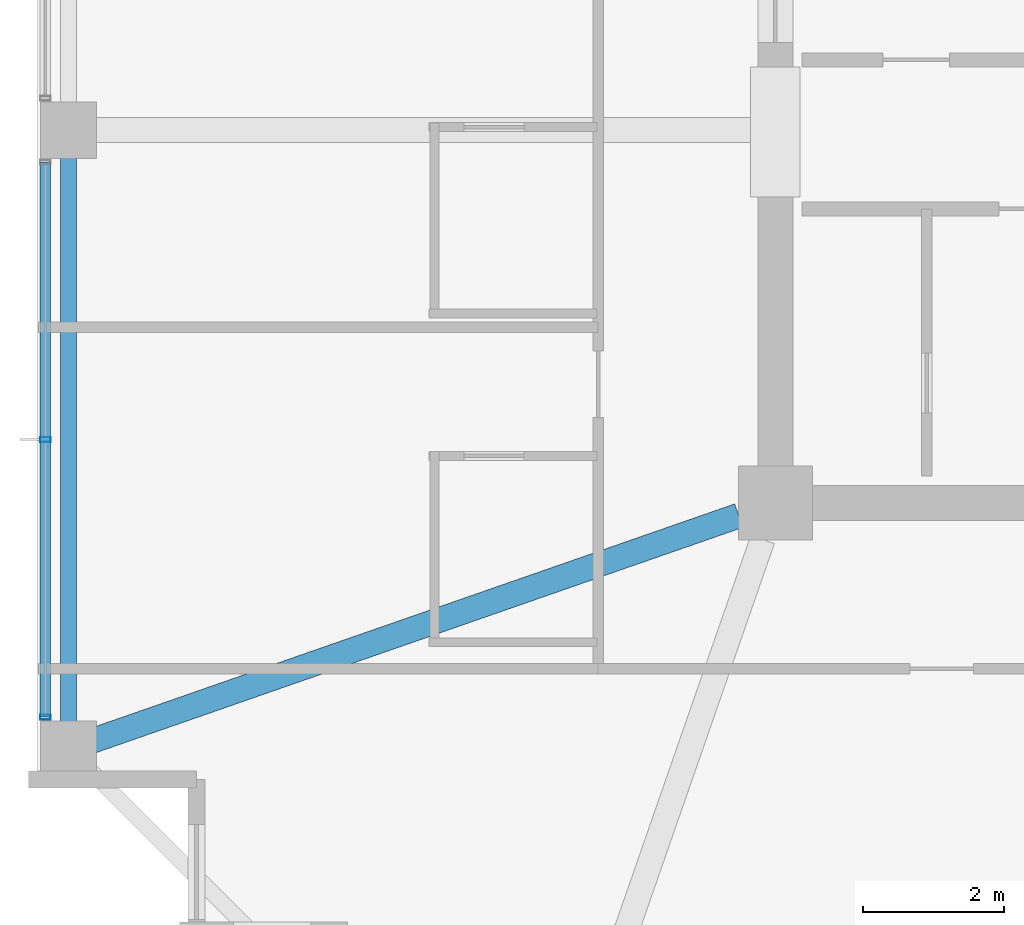
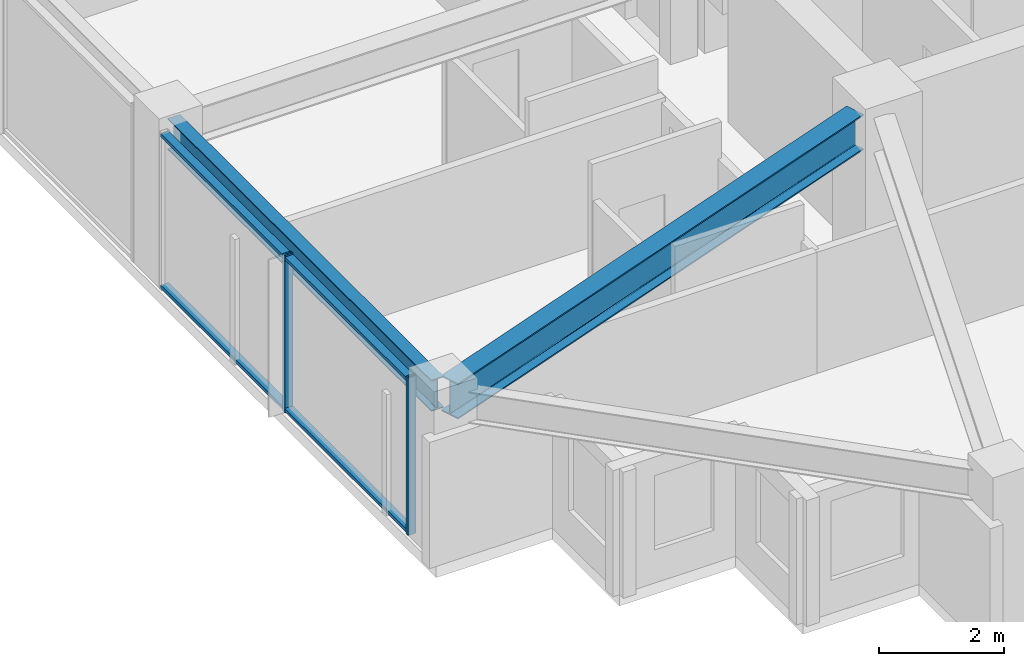
# One storey, part 4 of 36: 4 members, 2 beams, 1 element without a shape of its own.
"""IFC4 building model written with IfcOpenShell, lengths in metres."""

from ifc_helpers import new_model, si_unit, direction, frame, origin, origin_2d, place, context, subcontext, project, spatial, hollow_rectangle, i_section, extrude, material, material_profile, profile_set, type_object, element, aggregate, save


model = new_model("IFC4")

# Units and contexts
model_context = context("Model", 3, precision=1e-05, world=origin(), true_north=direction((0.0, 1.0)))
body_context = subcontext(model_context, "Body", "Model", "MODEL_VIEW")
ifc_project = project(units=[si_unit("LENGTHUNIT", "METRE"), si_unit("AREAUNIT", "SQUARE_METRE"), si_unit("VOLUMEUNIT", "CUBIC_METRE"), si_unit("PLANEANGLEUNIT", "RADIAN"), si_unit("MASSUNIT", "GRAM", prefix="KILO")], contexts=[model_context])

# Site, building, storey
site_placement = place(None, origin())
site = spatial("IfcSite", under=ifc_project, at=site_placement, CompositionType="ELEMENT")
building_placement = place(site_placement, origin())
building = spatial("IfcBuilding", under=site, at=building_placement, Name="Kolvaren Belvedere", CompositionType="ELEMENT")
storey_placement = place(building_placement, frame((0.0, 0.0, 193.199951171875)))
storey = spatial("IfcBuildingStorey", under=building, at=storey_placement, Name="L56", CompositionType="ELEMENT", Elevation=193.199951171875)

# Beams
ifc_material_1 = material(Name="Structural steel ASTM A992 Grade 50", Category="steel")
ifc_material_profile_1 = material_profile(ifc_material_1, i_section(OverallWidth=0.35498046875, OverallDepth=0.696044921875, WebThickness=0.015380859375, FlangeThickness=0.02490234375, FilletRadius=0.02197265625, at=origin_2d()), Name="W27X146")
ifc_profile_set_1 = profile_set([ifc_material_profile_1], Name="Structural steel ASTM A992 Grade 50")
beam_type_1 = type_object("IfcBeamType", Name="BM-GIRD-W27X146", PredefinedType="BEAM", material=ifc_profile_set_1)
beam_1_placement = place(storey_placement, frame((-10.41943359375, -10.080810546875, 2.73193359375), z_axis=(-0.944365399758, -0.328898147971, 0.0), x_axis=(0.328898147971, -0.944365399758, 0.0)))
element("IfcBeam", 1, at=beam_1_placement, inside=storey, type_object=beam_type_1, Name="L56 Corner Core-to-Perimeter Girder CC1-W1", PredefinedType="BEAM", context=body_context, shape_type="SweptSolid", body=[
    extrude(i_section(OverallWidth=0.35498046875, OverallDepth=0.696044921875, WebThickness=0.015380859375, FlangeThickness=0.02490234375, FilletRadius=0.02197265625, at=origin_2d()), origin(), (0.0, 0.0, 1.0), 9.931884765625),
])
ifc_material_2 = material(Name="Structural steel ASTM A992 Grade 50", Category="steel")
ifc_material_profile_2 = material_profile(ifc_material_2, i_section(OverallWidth=0.22900390625, OverallDepth=0.612060546875, WebThickness=0.011962890625, FlangeThickness=0.01953125, FilletRadius=0.01806640625, at=origin_2d()), Name="W24X84")
ifc_profile_set_2 = profile_set([ifc_material_profile_2], Name="Structural steel ASTM A992 Grade 50")
beam_type_2 = type_object("IfcBeamType", Name="BM-SPAN-W24X84", PredefinedType="SPANDREL", material=ifc_profile_set_2)
beam_2_placement = place(storey_placement, frame((-19.949951171875, -4.780029296875, 2.774169921875), z_axis=(0.0, -1.0, 0.0), x_axis=(1.0, 0.0, 0.0)))
element("IfcBeam", 2, at=beam_2_placement, inside=storey, type_object=beam_type_2, Name="L56 Perimeter Spandrel W2-W1", PredefinedType="SPANDREL", context=body_context, shape_type="SweptSolid", body=[
    extrude(i_section(OverallWidth=0.22900390625, OverallDepth=0.612060546875, WebThickness=0.011962890625, FlangeThickness=0.01953125, FilletRadius=0.01806640625, at=origin_2d()), origin(), (0.0, 0.0, 1.0), 8.43994140625),
])

# Curtain wall, members
ifc_material_3 = material(Name="Anodised pale-metal aluminium AA 6063-T6", Category="aluminium")
curtain_wall_type = type_object("IfcCurtainWallType", Name="CW-Z5-HIGH", PredefinedType="NOTDEFINED", material=ifc_material_3)
curtain_wall_placement = place(storey_placement, origin())
curtain_wall = element("IfcCurtainWall", 3, at=curtain_wall_placement, inside=storey, type_object=curtain_wall_type, Name="L56 Unitised Curtain Wall FCW-L56-W-B1", PredefinedType="NOTDEFINED")
ifc_material_4 = material(Name="Anodised pale-metal aluminium AA 6063-T6", Category="aluminium")
ifc_material_profile_3 = material_profile(ifc_material_4, hollow_rectangle(XDim=0.070068359375, YDim=0.14990234375, WallThickness=0.004150390625, at=origin_2d()), Name="ALU-MUL-150X70")
ifc_profile_set_3 = profile_set([ifc_material_profile_3], Name="Anodised pale-metal aluminium AA 6063-T6")
member_type_1 = type_object("IfcMemberType", Name="CW-MUL-150", PredefinedType="MULLION", material=ifc_profile_set_3)
member_1_placement = place(storey_placement, frame((-20.280029296875, -12.945068359375, 0.0), z_axis=(0.0, 0.0, 1.0), x_axis=(0.0, 1.0, 0.0)))
member_1 = element("IfcMember", 4, at=member_1_placement, type_object=member_type_1, Name="FCW-L56-W-B1 Unitised Mullion 1", PredefinedType="MULLION", context=body_context, shape_type="SweptSolid", body=[
    extrude(hollow_rectangle(XDim=0.070068359375, YDim=0.14990234375, WallThickness=0.004150390625, at=origin_2d()), origin(), (0.0, 0.0, 1.0), 3.080078125),
])
member_2_placement = place(storey_placement, frame((-20.280029296875, -9.0, 0.0), z_axis=(0.0, 0.0, 1.0), x_axis=(0.0, 1.0, 0.0)))
member_2 = element("IfcMember", 5, at=member_2_placement, type_object=member_type_1, Name="FCW-L56-W-B1 Unitised Mullion 2", PredefinedType="MULLION", context=body_context, shape_type="SweptSolid", body=[
    extrude(hollow_rectangle(XDim=0.070068359375, YDim=0.14990234375, WallThickness=0.004150390625, at=origin_2d()), origin(), (0.0, 0.0, 1.0), 3.080078125),
])
ifc_material_5 = material(Name="Anodised pale-metal aluminium AA 6063-T6", Category="aluminium")
ifc_material_profile_4 = material_profile(ifc_material_5, hollow_rectangle(XDim=0.06494140625, YDim=0.14990234375, WallThickness=0.00390625, at=origin_2d()), Name="ALU-TRN-150X65")
ifc_profile_set_4 = profile_set([ifc_material_profile_4], Name="Anodised pale-metal aluminium AA 6063-T6")
member_type_2 = type_object("IfcMemberType", Name="CW-TRN-150", PredefinedType="USERDEFINED", material=ifc_profile_set_4)
member_3_placement = place(storey_placement, frame((-20.280029296875, -12.945068359375, 0.06005859375), z_axis=(0.0, 1.0, 0.0), x_axis=(0.0, 0.0, 1.0)))
member_3 = element("IfcMember", 6, at=member_3_placement, type_object=member_type_2, Name="FCW-L56-W-B1 Sill Transom", ObjectType="TRANSOM", PredefinedType="USERDEFINED", context=body_context, shape_type="SweptSolid", body=[
    extrude(hollow_rectangle(XDim=0.06494140625, YDim=0.14990234375, WallThickness=0.00390625, at=origin_2d()), origin(), (0.0, 0.0, 1.0), 7.89013671875),
])
member_4_placement = place(storey_placement, frame((-20.280029296875, -12.945068359375, 3.02001953125), z_axis=(0.0, 1.0, 0.0), x_axis=(0.0, 0.0, 1.0)))
member_4 = element("IfcMember", 7, at=member_4_placement, type_object=member_type_2, Name="FCW-L56-W-B1 Head Transom", ObjectType="TRANSOM", PredefinedType="USERDEFINED", context=body_context, shape_type="SweptSolid", body=[
    extrude(hollow_rectangle(XDim=0.06494140625, YDim=0.14990234375, WallThickness=0.00390625, at=origin_2d()), origin(), (0.0, 0.0, 1.0), 7.89013671875),
])
aggregate(curtain_wall, [member_1, member_2, member_3, member_4])

save(model, "model.ifc")
